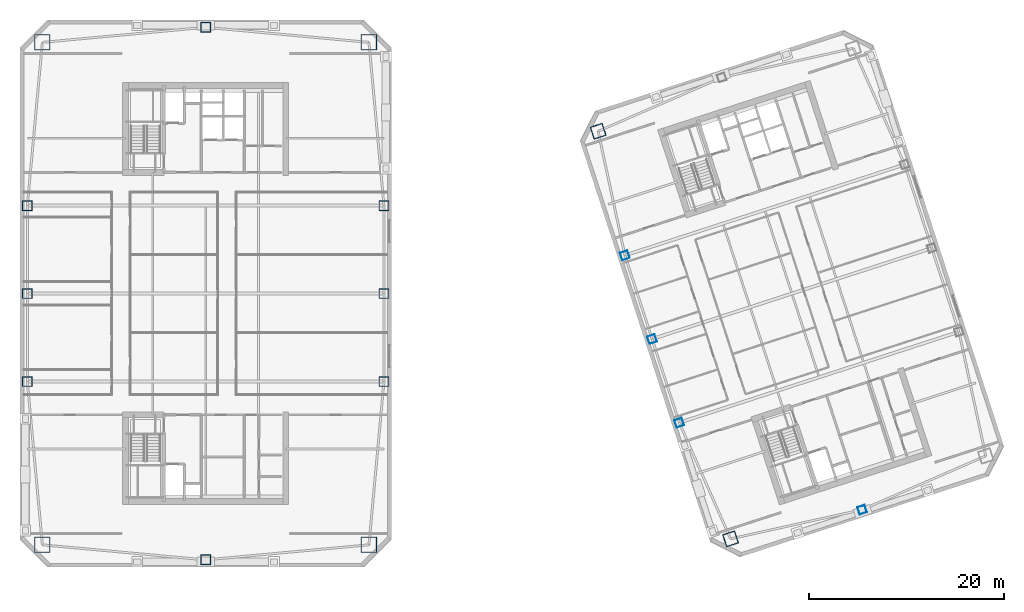
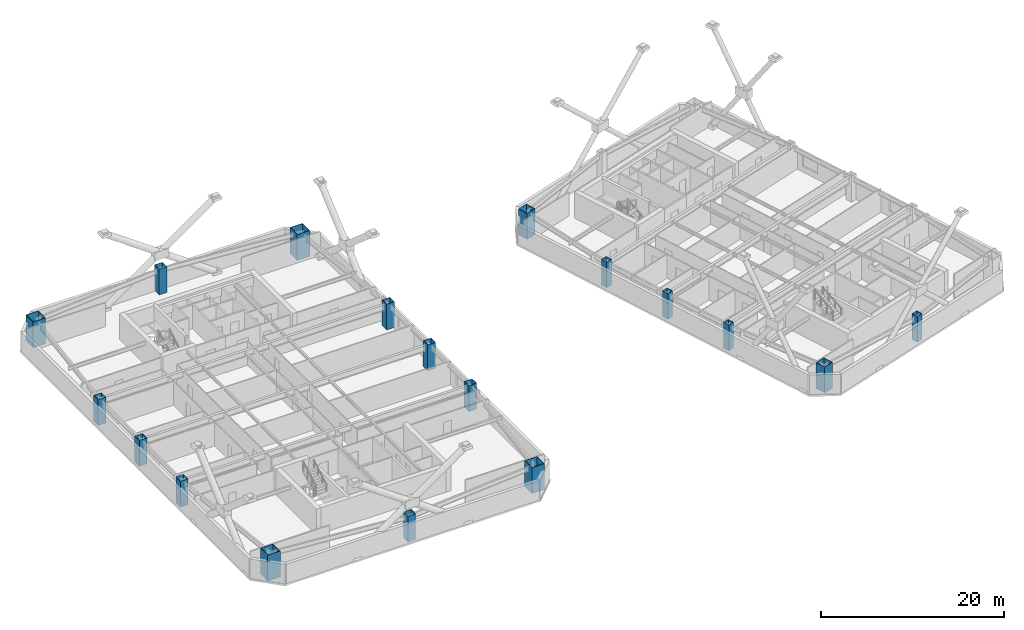
# One storey, part 1 of 14: 18 columns.
"""IFC4 building model written with IfcOpenShell, lengths in metres."""

from ifc_helpers import new_model, si_unit, direction, frame, origin, origin_2d, place, context, subcontext, project, spatial, hollow_rectangle, extrude, material, material_profile, profile_set, type_object, element, save


model = new_model("IFC4")

# Units and contexts
model_context = context("Model", 3, precision=1e-05, world=origin(), true_north=direction((0.0, 1.0)))
body_context = subcontext(model_context, "Body", "Model", "MODEL_VIEW")
ifc_project = project(units=[si_unit("LENGTHUNIT", "METRE"), si_unit("AREAUNIT", "SQUARE_METRE"), si_unit("VOLUMEUNIT", "CUBIC_METRE"), si_unit("PLANEANGLEUNIT", "RADIAN"), si_unit("MASSUNIT", "GRAM", prefix="KILO")], contexts=[model_context])

# Site, building, storey
site_placement = place(None, origin())
site = spatial("IfcSite", under=ifc_project, at=site_placement, CompositionType="ELEMENT")
building_placement = place(site_placement, origin())
building = spatial("IfcBuilding", under=site, at=building_placement, Name="Qiaolan Cultural Towers", CompositionType="ELEMENT")
storey_placement = place(building_placement, frame((0.0, 0.0, 149.5)))
storey = spatial("IfcBuildingStorey", under=building, at=storey_placement, Name="L39", CompositionType="ELEMENT", Elevation=149.5)

# Columns
ifc_material_1 = material(Name="Steel Q355B", Category="steel")
ifc_material_profile_1 = material_profile(ifc_material_1, hollow_rectangle(XDim=1.0, YDim=1.0, WallThickness=0.035888671875, at=origin_2d()), Name="BOX1000x1000x36")
ifc_profile_set_1 = profile_set([ifc_material_profile_1], Name="Steel Q355B")
column_type_1 = type_object("IfcColumnType", Name="COL-BOX1000x1000x36", PredefinedType="COLUMN", material=ifc_profile_set_1)
for number, where, z_axis, x_axis, name in (
    (1, (11.75, 25.0, 0.0), (0.0, 0.0, 1.0), (1.0, 0.0, 0.0), "L39 T1 Perimeter Column PC-W1"),
    (2, (11.75, 34.0, 0.0), (0.0, 0.0, 1.0), (1.0, 0.0, 0.0), "L39 T1 Perimeter Column PC-W2"),
    (3, (11.75, 43.0, 0.0), (0.0, 0.0, 1.0), (1.0, 0.0, 0.0), "L39 T1 Perimeter Column PC-W3"),
    (4, (48.25, 25.0, 0.0), (0.0, 0.0, 1.0), (1.0, 0.0, 0.0), "L39 T1 Perimeter Column PC-E1"),
    (5, (48.25, 34.0, 0.0), (0.0, 0.0, 1.0), (1.0, 0.0, 0.0), "L39 T1 Perimeter Column PC-E2"),
    (6, (48.25, 43.0, 0.0), (0.0, 0.0, 1.0), (1.0, 0.0, 0.0), "L39 T1 Perimeter Column PC-E3"),
    (7, (30.0, 6.75, 0.0), (0.0, 0.0, 1.0), (1.0, 0.0, 0.0), "L39 T1 Perimeter Column PC-S0"),
    (8, (30.0, 61.25, 0.0), (0.0, 0.0, 1.0), (1.0, 0.0, 0.0), "L39 T1 Perimeter Column PC-N0"),
):
    element("IfcColumn", number, at=place(storey_placement, frame(where, z_axis=z_axis, x_axis=x_axis)), inside=storey, type_object=column_type_1, Name=name, PredefinedType="COLUMN", context=body_context, shape_type="SweptSolid", body=[
        extrude(hollow_rectangle(XDim=1.0, YDim=1.0, WallThickness=0.035888671875, at=origin_2d()), origin(), (0.0, 0.0, 1.0), 3.450927734375),
    ])
ifc_material_2 = material(Name="Steel Q390GJB", Category="steel")
ifc_material_profile_2 = material_profile(ifc_material_2, hollow_rectangle(XDim=1.300048828125, YDim=1.300048828125, WallThickness=0.044921875, at=origin_2d()), Name="BOX1300x1300x45")
ifc_profile_set_2 = profile_set([ifc_material_profile_2], Name="Steel Q390GJB")
column_type_2 = type_object("IfcColumnType", Name="COL-BOX1300x1300x45", PredefinedType="COLUMN", material=ifc_profile_set_2)
for number, where, z_axis, x_axis, name in (
    (9, (83.71875, 8.900634765625, 0.0), (0.0, 0.0, 1.0), (0.951056516295, 0.309016994375, 0.0), "L39 T2 Perimeter Column MC-SW"),
    (10, (70.165283203125, 50.61376953125, 0.0), (0.0, 0.0, 1.0), (0.951056516295, 0.309016994375, 0.0), "L39 T2 Perimeter Column MC-NW"),
):
    element("IfcColumn", number, at=place(storey_placement, frame(where, z_axis=z_axis, x_axis=x_axis)), inside=storey, type_object=column_type_2, Name=name, PredefinedType="COLUMN", context=body_context, shape_type="SweptSolid", body=[
        extrude(hollow_rectangle(XDim=1.300048828125, YDim=1.300048828125, WallThickness=0.044921875, at=origin_2d()), origin(), (0.0, 0.0, 1.0), 3.450927734375),
    ])
ifc_material_3 = material(Name="Steel Q420GJB", Category="steel")
ifc_material_profile_3 = material_profile(ifc_material_3, hollow_rectangle(XDim=1.60009765625, YDim=1.60009765625, WallThickness=0.054931640625, at=origin_2d()), Name="BOX1600x1600x55")
ifc_profile_set_3 = profile_set([ifc_material_profile_3], Name="Steel Q420GJB")
column_type_3 = type_object("IfcColumnType", Name="COL-BOX1600x1600x55", PredefinedType="COLUMN", material=ifc_profile_set_3)
for number, where, z_axis, x_axis, name in (
    (11, (13.2900390625, 8.2900390625, 0.0), (0.0, 0.0, 1.0), (1.0, 0.0, 0.0), "L39 T1 Perimeter Column MC-SW"),
    (12, (46.7099609375, 8.2900390625, 0.0), (0.0, 0.0, 1.0), (1.0, 0.0, 0.0), "L39 T1 Perimeter Column MC-SE"),
    (13, (46.7099609375, 59.7099609375, 0.0), (0.0, 0.0, 1.0), (1.0, 0.0, 0.0), "L39 T1 Perimeter Column MC-NE"),
    (14, (13.2900390625, 59.7099609375, 0.0), (0.0, 0.0, 1.0), (1.0, 0.0, 0.0), "L39 T1 Perimeter Column MC-NW"),
):
    element("IfcColumn", number, at=place(storey_placement, frame(where, z_axis=z_axis, x_axis=x_axis)), inside=storey, type_object=column_type_3, Name=name, PredefinedType="COLUMN", context=body_context, shape_type="SweptSolid", body=[
        extrude(hollow_rectangle(XDim=1.60009765625, YDim=1.60009765625, WallThickness=0.054931640625, at=origin_2d()), origin(), (0.0, 0.0, 1.0), 3.450927734375),
    ])
ifc_material_4 = material(Name="Steel Q355B", Category="steel")
ifc_material_profile_4 = material_profile(ifc_material_4, hollow_rectangle(XDim=0.800048828125, YDim=0.800048828125, WallThickness=0.028076171875, at=origin_2d()), Name="BOX800x800x28")
ifc_profile_set_4 = profile_set([ifc_material_profile_4], Name="Steel Q355B")
column_type_4 = type_object("IfcColumnType", Name="COL-BOX800x800x28", PredefinedType="COLUMN", material=ifc_profile_set_4)
for number, where, z_axis, x_axis, name in (
    (15, (78.4677734375, 20.789794921875, 0.0), (0.0, 0.0, 1.0), (0.951056516295, 0.309016994375, 0.0), "L39 T2 Perimeter Column PC-W1"),
    (16, (75.6865234375, 29.349365234375, 0.0), (0.0, 0.0, 1.0), (0.951056516295, 0.309016994375, 0.0), "L39 T2 Perimeter Column PC-W2"),
    (17, (72.905517578125, 37.90869140625, 0.0), (0.0, 0.0, 1.0), (0.951056516295, 0.309016994375, 0.0), "L39 T2 Perimeter Column PC-W3"),
    (18, (97.1845703125, 11.887939453125, 0.0), (0.0, 0.0, 1.0), (0.951056516295, 0.309016994375, 0.0), "L39 T2 Perimeter Column PC-S0"),
):
    element("IfcColumn", number, at=place(storey_placement, frame(where, z_axis=z_axis, x_axis=x_axis)), inside=storey, type_object=column_type_4, Name=name, PredefinedType="COLUMN", context=body_context, shape_type="SweptSolid", body=[
        extrude(hollow_rectangle(XDim=0.800048828125, YDim=0.800048828125, WallThickness=0.028076171875, at=origin_2d()), origin(), (0.0, 0.0, 1.0), 3.450927734375),
    ])

save(model, "model.ifc")
